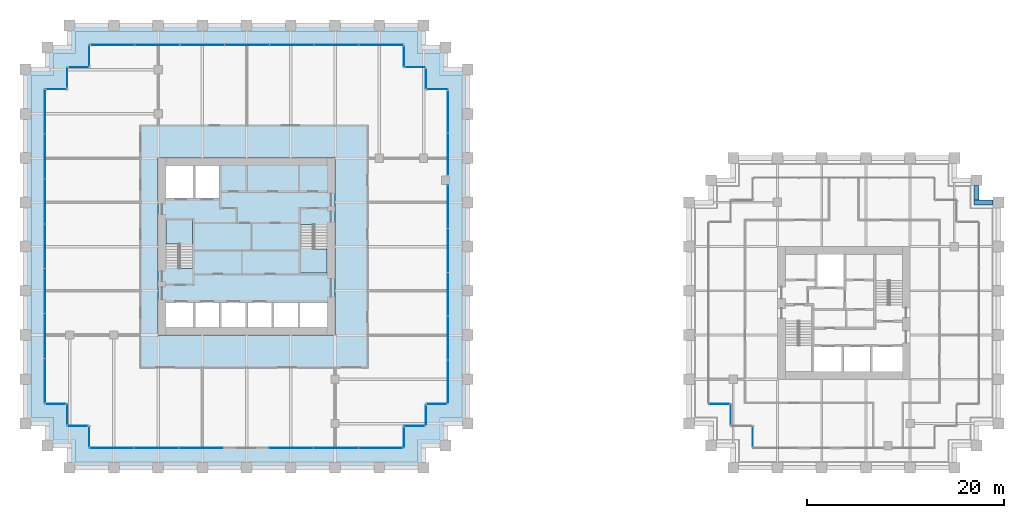
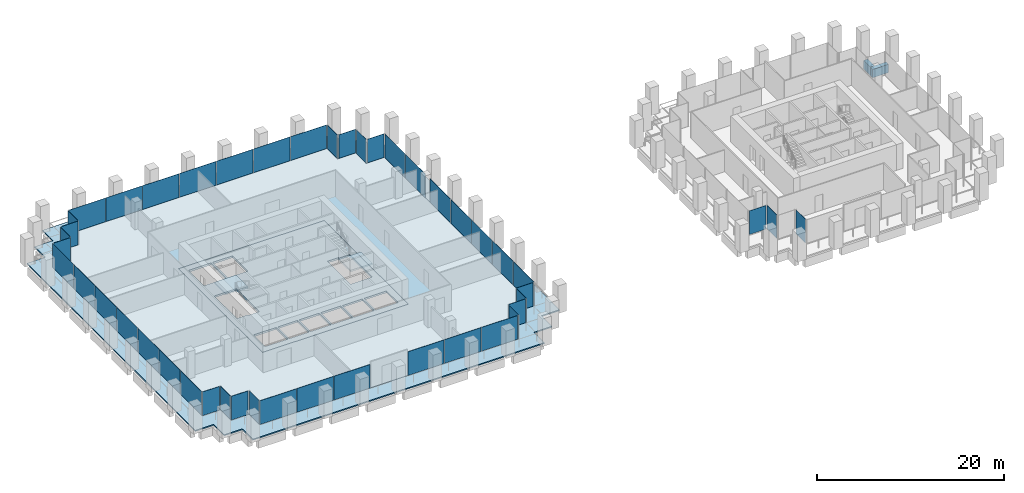
# One storey, part 48 of 56: 46 plates, 5 slabs, 2 beams, 27 elements without a shape of their own.
"""IFC4 building model written with IfcOpenShell, lengths in metres."""

from ifc_helpers import new_model, si_unit, direction, frame, origin, origin_2d, place, context, subcontext, project, spatial, polyline, rectangle, outline, extrude, material, layer, layer_set, material_profile, profile_set, type_object, element, aggregate, save


model = new_model("IFC4")

# Units and contexts
model_context = context("Model", 3, precision=1e-05, world=origin(), true_north=direction((0.0, 1.0)))
body_context = subcontext(model_context, "Body", "Model", "MODEL_VIEW")
ifc_project = project(units=[si_unit("LENGTHUNIT", "METRE"), si_unit("AREAUNIT", "SQUARE_METRE"), si_unit("VOLUMEUNIT", "CUBIC_METRE"), si_unit("PLANEANGLEUNIT", "RADIAN"), si_unit("MASSUNIT", "GRAM", prefix="KILO")], contexts=[model_context])

# Site, building, storey
site_placement = place(None, origin())
site = spatial("IfcSite", under=ifc_project, at=site_placement, CompositionType="ELEMENT")
building_placement = place(site_placement, origin())
building = spatial("IfcBuilding", under=site, at=building_placement, Name="Altepetl Exchange Towers", CompositionType="ELEMENT")
storey_placement = place(building_placement, frame((0.0, 0.0, 79.800048828125)))
storey = spatial("IfcBuildingStorey", under=building, at=storey_placement, Name="L19", CompositionType="ELEMENT", Elevation=79.800048828125)

# Beams
ifc_material_1 = material(Name="Concrete C50/60 precast with cantera amarilla facing", Category="concrete")
ifc_material_profile = material_profile(ifc_material_1, rectangle(XDim=0.5, YDim=1.10009765625, at=origin_2d()), Name="500 x 1100")
ifc_profile_set = profile_set([ifc_material_profile], Name="Concrete C50/60 precast with cantera amarilla facing")
beam_type = type_object("IfcBeamType", Name="Spandrel beam 500x1100 cantera amarilla", PredefinedType="SPANDREL", material=ifc_profile_set)
beam_1_placement = place(storey_placement, frame((125.449951171875, 54.0, -0.699951171875), z_axis=(-1.0, 0.0, 0.0), x_axis=(0.0, -1.0, 0.0)))
element("IfcBeam", 1, at=beam_1_placement, inside=storey, type_object=beam_type, Name="sp:B:L19:014", PredefinedType="SPANDREL", context=body_context, shape_type="SweptSolid", body=[
    extrude(rectangle(XDim=0.5, YDim=1.10009765625, at=origin_2d()), origin(), (0.0, 0.0, 1.0), 1.949951171875),
])
beam_2_placement = place(storey_placement, frame((123.75, 54.25, -0.699951171875), z_axis=(0.0, 1.0, 0.0), x_axis=(-1.0, 0.0, 0.0)))
element("IfcBeam", 2, at=beam_2_placement, inside=storey, type_object=beam_type, Name="sp:B:L19:015", PredefinedType="SPANDREL", context=body_context, shape_type="SweptSolid", body=[
    extrude(rectangle(XDim=0.5, YDim=1.10009765625, at=origin_2d()), origin(), (0.0, 0.0, 1.0), 1.449951171875),
])

# Slabs
ifc_material_2 = material(Name="Concrete C40/50", Category="concrete")
ifc_layer_1 = layer(ifc_material_2, 0.14990234375)
ifc_layer_set_1 = layer_set([ifc_layer_1], Name="Concrete C40/50")
slab_type_1 = type_object("IfcSlabType", Name="Composite floor slab 150", PredefinedType="FLOOR", material=ifc_layer_set_1)
slab_1_placement = place(storey_placement, frame((0.0, 0.0, -0.150146484375)))
element("IfcSlab", 3, at=slab_1_placement, inside=storey, type_object=slab_type_1, Name="slab:A:L19:strip0", PredefinedType="FLOOR", context=body_context, shape_type="SweptSolid", body=[
    extrude(outline(polyline([(31.25, 67.75), (31.25, 65.5), (29.0, 65.5), (29.0, 33.5), (31.25, 33.5), (31.25, 31.25), (33.5, 31.25), (33.5, 29.0), (65.5, 29.0), (65.5, 31.25), (67.75, 31.25), (67.75, 33.5), (70.0, 33.5), (70.0, 65.5), (67.75, 65.5), (67.75, 67.75), (65.5, 67.75), (65.5, 70.0), (33.5, 70.0), (33.5, 67.75), (31.25, 67.75)]), holes=[polyline([(58.5, 58.5), (58.5, 40.5), (40.5, 40.5), (40.5, 58.5), (58.5, 58.5)])]), origin(), (0.0, 0.0, 1.0), 0.150146484375),
])
ifc_layer_2 = layer(ifc_material_2, 0.25)
ifc_layer_set_2 = layer_set([ifc_layer_2], Name="Concrete C40/50")
slab_type_2 = type_object("IfcSlabType", Name="Core floor slab 250", PredefinedType="FLOOR", material=ifc_layer_set_2)
slab_2_placement = place(storey_placement, frame((0.0, 0.0, -0.25)))
element("IfcSlab", 4, at=slab_2_placement, inside=storey, type_object=slab_type_2, Name="slab:A:L19:core0", PredefinedType="FLOOR", context=body_context, shape_type="SweptSolid", body=[
    extrude(outline(polyline([(40.5, 40.5), (58.5, 40.5), (58.5, 58.5), (40.5, 58.5), (40.5, 40.5)]), holes=[polyline([(41.300048828125, 43.800048828125), (44.06689453125, 43.800048828125), (44.06689453125, 41.300048828125), (41.300048828125, 41.300048828125), (41.300048828125, 43.800048828125)]), polyline([(44.26708984375, 43.800048828125), (46.73291015625, 43.800048828125), (46.73291015625, 41.300048828125), (44.26708984375, 41.300048828125), (44.26708984375, 43.800048828125)]), polyline([(46.93310546875, 43.800048828125), (49.39990234375, 43.800048828125), (49.39990234375, 41.300048828125), (46.93310546875, 41.300048828125), (46.93310546875, 43.800048828125)]), polyline([(52.06689453125, 43.800048828125), (52.06689453125, 41.300048828125), (49.60009765625, 41.300048828125), (49.60009765625, 43.800048828125), (52.06689453125, 43.800048828125)]), polyline([(54.73291015625, 43.800048828125), (54.73291015625, 41.300048828125), (52.26708984375, 41.300048828125), (52.26708984375, 43.800048828125), (54.73291015625, 43.800048828125)]), polyline([(54.93310546875, 43.800048828125), (57.699951171875, 43.800048828125), (57.699951171875, 41.300048828125), (54.93310546875, 41.300048828125), (54.93310546875, 43.800048828125)]), polyline([(55.0, 51.7490234375), (56.39990234375, 51.7490234375), (56.39990234375, 51.64990234375), (57.699951171875, 51.64990234375), (57.699951171875, 46.800048828125), (55.0, 46.800048828125), (55.0, 51.7490234375)]), polyline([(44.0, 47.2509765625), (42.60009765625, 47.2509765625), (42.60009765625, 47.35009765625), (41.300048828125, 47.35009765625), (41.300048828125, 52.199951171875), (44.0, 52.199951171875), (44.0, 47.2509765625)]), polyline([(44.06689453125, 57.699951171875), (44.06689453125, 54.39990234375), (41.300048828125, 54.39990234375), (41.300048828125, 57.699951171875), (44.06689453125, 57.699951171875)]), polyline([(46.73291015625, 57.699951171875), (46.73291015625, 54.39990234375), (44.26708984375, 54.39990234375), (44.26708984375, 57.699951171875), (46.73291015625, 57.699951171875)])]), origin(), (0.0, 0.0, 1.0), 0.25),
])

# Curtain wall, plate
ifc_material_3 = material(Name="Aluminium 6063-T6 glazing", Category="aluminium")
curtain_wall_type = type_object("IfcCurtainWallType", Name="Loggia glazing system", PredefinedType="NOTDEFINED", material=ifc_material_3)
curtain_wall_1_placement = place(storey_placement, origin())
curtain_wall_1 = element("IfcCurtainWall", 5, at=curtain_wall_1_placement, inside=storey, type_object=curtain_wall_type, Name="CW1 run", PredefinedType="NOTDEFINED")
ifc_material_4 = material(Name="Glass 6-16-6 low emissivity", Category="glass")
ifc_layer_3 = layer(ifc_material_4, 0.028076171875)
ifc_layer_set_3 = layer_set([ifc_layer_3], Name="Glass 6-16-6 low emissivity")
plate_type = type_object("IfcPlateType", Name="Glass panel 28 double glazed", PredefinedType="CURTAIN_PANEL", material=ifc_layer_set_3)
plate_1_placement = place(storey_placement, frame((30.16259765625, 65.5, 0.0), z_axis=(0.0, 0.0, 1.0), x_axis=(-1.0, 0.0, 0.0)))
plate_1 = element("IfcPlate", 6, at=plate_1_placement, type_object=plate_type, Name="GP1 panel", PredefinedType="CURTAIN_PANEL", context=body_context, shape_type="SweptSolid", body=[
    extrude(rectangle(XDim=2.054931640625, YDim=0.028076171875, at=origin_2d()), origin(), (0.0, 0.0, 1.0), 3.10009765625),
])
aggregate(curtain_wall_1, [plate_1])

# Curtain wall, plates
curtain_wall_2_placement = place(storey_placement, origin())
curtain_wall_2 = element("IfcCurtainWall", 7, at=curtain_wall_2_placement, inside=storey, type_object=curtain_wall_type, Name="CW1 run", PredefinedType="NOTDEFINED")
plate_2_placement = place(storey_placement, frame((29.0, 63.20458984375, 0.0), z_axis=(0.0, 0.0, 1.0), x_axis=(0.0, -1.0, 0.0)))
plate_2 = element("IfcPlate", 8, at=plate_2_placement, type_object=plate_type, Name="GP1 panel", PredefinedType="CURTAIN_PANEL", context=body_context, shape_type="SweptSolid", body=[
    extrude(rectangle(XDim=4.470703125, YDim=0.028076171875, at=origin_2d()), origin(), (0.0, 0.0, 1.0), 3.10009765625),
])
plate_3_placement = place(storey_placement, frame((29.0, 58.658935546875, 0.0), z_axis=(0.0, 0.0, 1.0), x_axis=(0.0, -1.0, 0.0)))
plate_3 = element("IfcPlate", 9, at=plate_3_placement, type_object=plate_type, Name="GP1 panel", PredefinedType="CURTAIN_PANEL", context=body_context, shape_type="SweptSolid", body=[
    extrude(rectangle(XDim=4.500732421875, YDim=0.028076171875, at=origin_2d()), origin(), (0.0, 0.0, 1.0), 3.10009765625),
])
plate_4_placement = place(storey_placement, frame((29.0, 54.09814453125, 0.0), z_axis=(0.0, 0.0, 1.0), x_axis=(0.0, -1.0, 0.0)))
plate_4 = element("IfcPlate", 10, at=plate_4_placement, type_object=plate_type, Name="GP1 panel", PredefinedType="CURTAIN_PANEL", context=body_context, shape_type="SweptSolid", body=[
    extrude(rectangle(XDim=4.500732421875, YDim=0.028076171875, at=origin_2d()), origin(), (0.0, 0.0, 1.0), 3.10009765625),
])
plate_5_placement = place(storey_placement, frame((29.0, 49.53759765625, 0.0), z_axis=(0.0, 0.0, 1.0), x_axis=(0.0, -1.0, 0.0)))
plate_5 = element("IfcPlate", 11, at=plate_5_placement, type_object=plate_type, Name="GP1 panel", PredefinedType="CURTAIN_PANEL", context=body_context, shape_type="SweptSolid", body=[
    extrude(rectangle(XDim=4.500732421875, YDim=0.028076171875, at=origin_2d()), origin(), (0.0, 0.0, 1.0), 3.10009765625),
])
plate_6_placement = place(storey_placement, frame((29.0, 44.976806640625, 0.0), z_axis=(0.0, 0.0, 1.0), x_axis=(0.0, -1.0, 0.0)))
plate_6 = element("IfcPlate", 12, at=plate_6_placement, type_object=plate_type, Name="GP1 panel", PredefinedType="CURTAIN_PANEL", context=body_context, shape_type="SweptSolid", body=[
    extrude(rectangle(XDim=4.500732421875, YDim=0.028076171875, at=origin_2d()), origin(), (0.0, 0.0, 1.0), 3.10009765625),
])
plate_7_placement = place(storey_placement, frame((29.0, 40.416015625, 0.0), z_axis=(0.0, 0.0, 1.0), x_axis=(0.0, -1.0, 0.0)))
plate_7 = element("IfcPlate", 13, at=plate_7_placement, type_object=plate_type, Name="GP1 panel", PredefinedType="CURTAIN_PANEL", context=body_context, shape_type="SweptSolid", body=[
    extrude(rectangle(XDim=4.500732421875, YDim=0.028076171875, at=origin_2d()), origin(), (0.0, 0.0, 1.0), 3.10009765625),
])
plate_8_placement = place(storey_placement, frame((29.0, 35.870361328125, 0.0), z_axis=(0.0, 0.0, 1.0), x_axis=(0.0, -1.0, 0.0)))
plate_8 = element("IfcPlate", 14, at=plate_8_placement, type_object=plate_type, Name="GP1 panel", PredefinedType="CURTAIN_PANEL", context=body_context, shape_type="SweptSolid", body=[
    extrude(rectangle(XDim=4.470703125, YDim=0.028076171875, at=origin_2d()), origin(), (0.0, 0.0, 1.0), 3.10009765625),
])
aggregate(curtain_wall_2, [plate_2, plate_3, plate_4, plate_5, plate_6, plate_7, plate_8])

# Curtain wall, plate
curtain_wall_3_placement = place(storey_placement, origin())
curtain_wall_3 = element("IfcCurtainWall", 15, at=curtain_wall_3_placement, inside=storey, type_object=curtain_wall_type, Name="CW1 run", PredefinedType="NOTDEFINED")
plate_9_placement = place(storey_placement, frame((30.08740234375, 33.5, 0.0)))
plate_9 = element("IfcPlate", 16, at=plate_9_placement, type_object=plate_type, Name="GP1 panel", PredefinedType="CURTAIN_PANEL", context=body_context, shape_type="SweptSolid", body=[
    extrude(rectangle(XDim=2.054931640625, YDim=0.028076171875, at=origin_2d()), origin(), (0.0, 0.0, 1.0), 3.10009765625),
])
aggregate(curtain_wall_3, [plate_9])

curtain_wall_4_placement = place(storey_placement, origin())
curtain_wall_4 = element("IfcCurtainWall", 17, at=curtain_wall_4_placement, inside=storey, type_object=curtain_wall_type, Name="CW1 run", PredefinedType="NOTDEFINED")
plate_10_placement = place(storey_placement, frame((31.25, 32.41259765625, 0.0), z_axis=(0.0, 0.0, 1.0), x_axis=(0.0, -1.0, 0.0)))
plate_10 = element("IfcPlate", 18, at=plate_10_placement, type_object=plate_type, Name="GP1 panel", PredefinedType="CURTAIN_PANEL", context=body_context, shape_type="SweptSolid", body=[
    extrude(rectangle(XDim=2.054931640625, YDim=0.028076171875, at=origin_2d()), origin(), (0.0, 0.0, 1.0), 3.10009765625),
])
aggregate(curtain_wall_4, [plate_10])

curtain_wall_5_placement = place(storey_placement, origin())
curtain_wall_5 = element("IfcCurtainWall", 19, at=curtain_wall_5_placement, inside=storey, type_object=curtain_wall_type, Name="CW1 run", PredefinedType="NOTDEFINED")
plate_11_placement = place(storey_placement, frame((32.33740234375, 31.25, 0.0)))
plate_11 = element("IfcPlate", 20, at=plate_11_placement, type_object=plate_type, Name="GP1 panel", PredefinedType="CURTAIN_PANEL", context=body_context, shape_type="SweptSolid", body=[
    extrude(rectangle(XDim=2.054931640625, YDim=0.028076171875, at=origin_2d()), origin(), (0.0, 0.0, 1.0), 3.10009765625),
])
aggregate(curtain_wall_5, [plate_11])

curtain_wall_6_placement = place(storey_placement, origin())
curtain_wall_6 = element("IfcCurtainWall", 21, at=curtain_wall_6_placement, inside=storey, type_object=curtain_wall_type, Name="CW1 run", PredefinedType="NOTDEFINED")
plate_12_placement = place(storey_placement, frame((33.5, 30.16259765625, 0.0), z_axis=(0.0, 0.0, 1.0), x_axis=(0.0, -1.0, 0.0)))
plate_12 = element("IfcPlate", 22, at=plate_12_placement, type_object=plate_type, Name="GP1 panel", PredefinedType="CURTAIN_PANEL", context=body_context, shape_type="SweptSolid", body=[
    extrude(rectangle(XDim=2.054931640625, YDim=0.028076171875, at=origin_2d()), origin(), (0.0, 0.0, 1.0), 3.10009765625),
])
aggregate(curtain_wall_6, [plate_12])

# Curtain wall, plates
curtain_wall_7_placement = place(storey_placement, origin())
curtain_wall_7 = element("IfcCurtainWall", 23, at=curtain_wall_7_placement, inside=storey, type_object=curtain_wall_type, Name="CW1 run", PredefinedType="NOTDEFINED")
plate_13_placement = place(storey_placement, frame((35.79541015625, 29.0, 0.0)))
plate_13 = element("IfcPlate", 24, at=plate_13_placement, type_object=plate_type, Name="GP1 panel", PredefinedType="CURTAIN_PANEL", context=body_context, shape_type="SweptSolid", body=[
    extrude(rectangle(XDim=4.470703125, YDim=0.028076171875, at=origin_2d()), origin(), (0.0, 0.0, 1.0), 3.10009765625),
])
plate_14_placement = place(storey_placement, frame((40.341064453125, 29.0, 0.0)))
plate_14 = element("IfcPlate", 25, at=plate_14_placement, type_object=plate_type, Name="GP1 panel", PredefinedType="CURTAIN_PANEL", context=body_context, shape_type="SweptSolid", body=[
    extrude(rectangle(XDim=4.500732421875, YDim=0.028076171875, at=origin_2d()), origin(), (0.0, 0.0, 1.0), 3.10009765625),
])
plate_15_placement = place(storey_placement, frame((44.88671875, 29.0, 0.0)))
plate_15 = element("IfcPlate", 26, at=plate_15_placement, type_object=plate_type, Name="GP1 panel", PredefinedType="CURTAIN_PANEL", context=body_context, shape_type="SweptSolid", body=[
    extrude(rectangle(XDim=4.470703125, YDim=0.028076171875, at=origin_2d()), origin(), (0.0, 0.0, 1.0), 3.10009765625),
])
aggregate(curtain_wall_7, [plate_13, plate_14, plate_15])

curtain_wall_8_placement = place(storey_placement, origin())
curtain_wall_8 = element("IfcCurtainWall", 27, at=curtain_wall_8_placement, inside=storey, type_object=curtain_wall_type, Name="CW1 run", PredefinedType="NOTDEFINED")
plate_16_placement = place(storey_placement, frame((54.038330078125, 29.0, 0.0)))
plate_16 = element("IfcPlate", 28, at=plate_16_placement, type_object=plate_type, Name="GP1 panel", PredefinedType="CURTAIN_PANEL", context=body_context, shape_type="SweptSolid", body=[
    extrude(rectangle(XDim=4.470703125, YDim=0.028076171875, at=origin_2d()), origin(), (0.0, 0.0, 1.0), 3.10009765625),
])
plate_17_placement = place(storey_placement, frame((58.583984375, 29.0, 0.0)))
plate_17 = element("IfcPlate", 29, at=plate_17_placement, type_object=plate_type, Name="GP1 panel", PredefinedType="CURTAIN_PANEL", context=body_context, shape_type="SweptSolid", body=[
    extrude(rectangle(XDim=4.500732421875, YDim=0.028076171875, at=origin_2d()), origin(), (0.0, 0.0, 1.0), 3.10009765625),
])
plate_18_placement = place(storey_placement, frame((63.129638671875, 29.0, 0.0)))
plate_18 = element("IfcPlate", 30, at=plate_18_placement, type_object=plate_type, Name="GP1 panel", PredefinedType="CURTAIN_PANEL", context=body_context, shape_type="SweptSolid", body=[
    extrude(rectangle(XDim=4.470703125, YDim=0.028076171875, at=origin_2d()), origin(), (0.0, 0.0, 1.0), 3.10009765625),
])
aggregate(curtain_wall_8, [plate_16, plate_17, plate_18])

# Curtain wall, plate
curtain_wall_9_placement = place(storey_placement, origin())
curtain_wall_9 = element("IfcCurtainWall", 31, at=curtain_wall_9_placement, inside=storey, type_object=curtain_wall_type, Name="CW1 run", PredefinedType="NOTDEFINED")
plate_19_placement = place(storey_placement, frame((65.5, 30.08740234375, 0.0), z_axis=(0.0, 0.0, 1.0), x_axis=(0.0, 1.0, 0.0)))
plate_19 = element("IfcPlate", 32, at=plate_19_placement, type_object=plate_type, Name="GP1 panel", PredefinedType="CURTAIN_PANEL", context=body_context, shape_type="SweptSolid", body=[
    extrude(rectangle(XDim=2.054931640625, YDim=0.028076171875, at=origin_2d()), origin(), (0.0, 0.0, 1.0), 3.10009765625),
])
aggregate(curtain_wall_9, [plate_19])

curtain_wall_10_placement = place(storey_placement, origin())
curtain_wall_10 = element("IfcCurtainWall", 33, at=curtain_wall_10_placement, inside=storey, type_object=curtain_wall_type, Name="CW1 run", PredefinedType="NOTDEFINED")
plate_20_placement = place(storey_placement, frame((66.58740234375, 31.25, 0.0)))
plate_20 = element("IfcPlate", 34, at=plate_20_placement, type_object=plate_type, Name="GP1 panel", PredefinedType="CURTAIN_PANEL", context=body_context, shape_type="SweptSolid", body=[
    extrude(rectangle(XDim=2.054931640625, YDim=0.028076171875, at=origin_2d()), origin(), (0.0, 0.0, 1.0), 3.10009765625),
])
aggregate(curtain_wall_10, [plate_20])

curtain_wall_11_placement = place(storey_placement, origin())
curtain_wall_11 = element("IfcCurtainWall", 35, at=curtain_wall_11_placement, inside=storey, type_object=curtain_wall_type, Name="CW1 run", PredefinedType="NOTDEFINED")
plate_21_placement = place(storey_placement, frame((67.75, 32.33740234375, 0.0), z_axis=(0.0, 0.0, 1.0), x_axis=(0.0, 1.0, 0.0)))
plate_21 = element("IfcPlate", 36, at=plate_21_placement, type_object=plate_type, Name="GP1 panel", PredefinedType="CURTAIN_PANEL", context=body_context, shape_type="SweptSolid", body=[
    extrude(rectangle(XDim=2.054931640625, YDim=0.028076171875, at=origin_2d()), origin(), (0.0, 0.0, 1.0), 3.10009765625),
])
aggregate(curtain_wall_11, [plate_21])

curtain_wall_12_placement = place(storey_placement, origin())
curtain_wall_12 = element("IfcCurtainWall", 37, at=curtain_wall_12_placement, inside=storey, type_object=curtain_wall_type, Name="CW1 run", PredefinedType="NOTDEFINED")
plate_22_placement = place(storey_placement, frame((68.83740234375, 33.5, 0.0)))
plate_22 = element("IfcPlate", 38, at=plate_22_placement, type_object=plate_type, Name="GP1 panel", PredefinedType="CURTAIN_PANEL", context=body_context, shape_type="SweptSolid", body=[
    extrude(rectangle(XDim=2.054931640625, YDim=0.028076171875, at=origin_2d()), origin(), (0.0, 0.0, 1.0), 3.10009765625),
])
aggregate(curtain_wall_12, [plate_22])

# Curtain wall, plates
curtain_wall_13_placement = place(storey_placement, origin())
curtain_wall_13 = element("IfcCurtainWall", 39, at=curtain_wall_13_placement, inside=storey, type_object=curtain_wall_type, Name="CW1 run", PredefinedType="NOTDEFINED")
plate_23_placement = place(storey_placement, frame((70.0, 35.74560546875, 0.0), z_axis=(0.0, 0.0, 1.0), x_axis=(0.0, 1.0, 0.0)))
plate_23 = element("IfcPlate", 40, at=plate_23_placement, type_object=plate_type, Name="GP1 panel", PredefinedType="CURTAIN_PANEL", context=body_context, shape_type="SweptSolid", body=[
    extrude(rectangle(XDim=4.37109375, YDim=0.028076171875, at=origin_2d()), origin(), (0.0, 0.0, 1.0), 3.10009765625),
])
plate_24_placement = place(storey_placement, frame((70.0, 40.19140625, 0.0), z_axis=(0.0, 0.0, 1.0), x_axis=(0.0, 1.0, 0.0)))
plate_24 = element("IfcPlate", 41, at=plate_24_placement, type_object=plate_type, Name="GP1 panel", PredefinedType="CURTAIN_PANEL", context=body_context, shape_type="SweptSolid", body=[
    extrude(rectangle(XDim=4.40087890625, YDim=0.028076171875, at=origin_2d()), origin(), (0.0, 0.0, 1.0), 3.10009765625),
])
plate_25_placement = place(storey_placement, frame((70.0, 44.652587890625, 0.0), z_axis=(0.0, 0.0, 1.0), x_axis=(0.0, 1.0, 0.0)))
plate_25 = element("IfcPlate", 42, at=plate_25_placement, type_object=plate_type, Name="GP1 panel", PredefinedType="CURTAIN_PANEL", context=body_context, shape_type="SweptSolid", body=[
    extrude(rectangle(XDim=4.40087890625, YDim=0.028076171875, at=origin_2d()), origin(), (0.0, 0.0, 1.0), 3.10009765625),
])
plate_26_placement = place(storey_placement, frame((70.0, 49.113525390625, 0.0), z_axis=(0.0, 0.0, 1.0), x_axis=(0.0, 1.0, 0.0)))
plate_26 = element("IfcPlate", 43, at=plate_26_placement, type_object=plate_type, Name="GP1 panel", PredefinedType="CURTAIN_PANEL", context=body_context, shape_type="SweptSolid", body=[
    extrude(rectangle(XDim=4.40087890625, YDim=0.028076171875, at=origin_2d()), origin(), (0.0, 0.0, 1.0), 3.10009765625),
])
plate_27_placement = place(storey_placement, frame((70.0, 53.5595703125, 0.0), z_axis=(0.0, 0.0, 1.0), x_axis=(0.0, 1.0, 0.0)))
plate_27 = element("IfcPlate", 44, at=plate_27_placement, type_object=plate_type, Name="GP1 panel", PredefinedType="CURTAIN_PANEL", context=body_context, shape_type="SweptSolid", body=[
    extrude(rectangle(XDim=4.37109375, YDim=0.028076171875, at=origin_2d()), origin(), (0.0, 0.0, 1.0), 3.10009765625),
])
aggregate(curtain_wall_13, [plate_23, plate_24, plate_25, plate_26, plate_27])

curtain_wall_14_placement = place(storey_placement, origin())
curtain_wall_14 = element("IfcCurtainWall", 45, at=curtain_wall_14_placement, inside=storey, type_object=curtain_wall_type, Name="CW1 run", PredefinedType="NOTDEFINED")
plate_28_placement = place(storey_placement, frame((70.0, 58.892578125, 0.0), z_axis=(0.0, 0.0, 1.0), x_axis=(0.0, 1.0, 0.0)))
plate_28 = element("IfcPlate", 46, at=plate_28_placement, type_object=plate_type, Name="GP1 panel", PredefinedType="CURTAIN_PANEL", context=body_context, shape_type="SweptSolid", body=[
    extrude(rectangle(XDim=4.27490234375, YDim=0.028076171875, at=origin_2d()), origin(), (0.0, 0.0, 1.0), 3.10009765625),
])
plate_29_placement = place(storey_placement, frame((70.0, 63.2275390625, 0.0), z_axis=(0.0, 0.0, 1.0), x_axis=(0.0, 1.0, 0.0)))
plate_29 = element("IfcPlate", 47, at=plate_29_placement, type_object=plate_type, Name="GP1 panel", PredefinedType="CURTAIN_PANEL", context=body_context, shape_type="SweptSolid", body=[
    extrude(rectangle(XDim=4.27490234375, YDim=0.028076171875, at=origin_2d()), origin(), (0.0, 0.0, 1.0), 3.10009765625),
])
aggregate(curtain_wall_14, [plate_28, plate_29])

# Curtain wall, plate
curtain_wall_15_placement = place(storey_placement, origin())
curtain_wall_15 = element("IfcCurtainWall", 48, at=curtain_wall_15_placement, inside=storey, type_object=curtain_wall_type, Name="CW1 run", PredefinedType="NOTDEFINED")
plate_30_placement = place(storey_placement, frame((68.91259765625, 65.5, 0.0), z_axis=(0.0, 0.0, 1.0), x_axis=(-1.0, 0.0, 0.0)))
plate_30 = element("IfcPlate", 49, at=plate_30_placement, type_object=plate_type, Name="GP1 panel", PredefinedType="CURTAIN_PANEL", context=body_context, shape_type="SweptSolid", body=[
    extrude(rectangle(XDim=2.054931640625, YDim=0.028076171875, at=origin_2d()), origin(), (0.0, 0.0, 1.0), 3.10009765625),
])
aggregate(curtain_wall_15, [plate_30])

curtain_wall_16_placement = place(storey_placement, origin())
curtain_wall_16 = element("IfcCurtainWall", 50, at=curtain_wall_16_placement, inside=storey, type_object=curtain_wall_type, Name="CW1 run", PredefinedType="NOTDEFINED")
plate_31_placement = place(storey_placement, frame((67.75, 66.58740234375, 0.0), z_axis=(0.0, 0.0, 1.0), x_axis=(0.0, 1.0, 0.0)))
plate_31 = element("IfcPlate", 51, at=plate_31_placement, type_object=plate_type, Name="GP1 panel", PredefinedType="CURTAIN_PANEL", context=body_context, shape_type="SweptSolid", body=[
    extrude(rectangle(XDim=2.054931640625, YDim=0.028076171875, at=origin_2d()), origin(), (0.0, 0.0, 1.0), 3.10009765625),
])
aggregate(curtain_wall_16, [plate_31])

curtain_wall_17_placement = place(storey_placement, origin())
curtain_wall_17 = element("IfcCurtainWall", 52, at=curtain_wall_17_placement, inside=storey, type_object=curtain_wall_type, Name="CW1 run", PredefinedType="NOTDEFINED")
plate_32_placement = place(storey_placement, frame((66.66259765625, 67.75, 0.0), z_axis=(0.0, 0.0, 1.0), x_axis=(-1.0, 0.0, 0.0)))
plate_32 = element("IfcPlate", 53, at=plate_32_placement, type_object=plate_type, Name="GP1 panel", PredefinedType="CURTAIN_PANEL", context=body_context, shape_type="SweptSolid", body=[
    extrude(rectangle(XDim=2.054931640625, YDim=0.028076171875, at=origin_2d()), origin(), (0.0, 0.0, 1.0), 3.10009765625),
])
aggregate(curtain_wall_17, [plate_32])

curtain_wall_18_placement = place(storey_placement, origin())
curtain_wall_18 = element("IfcCurtainWall", 54, at=curtain_wall_18_placement, inside=storey, type_object=curtain_wall_type, Name="CW1 run", PredefinedType="NOTDEFINED")
plate_33_placement = place(storey_placement, frame((65.5, 68.83740234375, 0.0), z_axis=(0.0, 0.0, 1.0), x_axis=(0.0, 1.0, 0.0)))
plate_33 = element("IfcPlate", 55, at=plate_33_placement, type_object=plate_type, Name="GP1 panel", PredefinedType="CURTAIN_PANEL", context=body_context, shape_type="SweptSolid", body=[
    extrude(rectangle(XDim=2.054931640625, YDim=0.028076171875, at=origin_2d()), origin(), (0.0, 0.0, 1.0), 3.10009765625),
])
aggregate(curtain_wall_18, [plate_33])

# Curtain wall, plates
curtain_wall_19_placement = place(storey_placement, origin())
curtain_wall_19 = element("IfcCurtainWall", 56, at=curtain_wall_19_placement, inside=storey, type_object=curtain_wall_type, Name="CW1 run", PredefinedType="NOTDEFINED")
plate_34_placement = place(storey_placement, frame((63.20458984375, 70.0, 0.0), z_axis=(0.0, 0.0, 1.0), x_axis=(-1.0, 0.0, 0.0)))
plate_34 = element("IfcPlate", 57, at=plate_34_placement, type_object=plate_type, Name="GP1 panel", PredefinedType="CURTAIN_PANEL", context=body_context, shape_type="SweptSolid", body=[
    extrude(rectangle(XDim=4.470703125, YDim=0.028076171875, at=origin_2d()), origin(), (0.0, 0.0, 1.0), 3.10009765625),
])
plate_35_placement = place(storey_placement, frame((58.658935546875, 70.0, 0.0), z_axis=(0.0, 0.0, 1.0), x_axis=(-1.0, 0.0, 0.0)))
plate_35 = element("IfcPlate", 58, at=plate_35_placement, type_object=plate_type, Name="GP1 panel", PredefinedType="CURTAIN_PANEL", context=body_context, shape_type="SweptSolid", body=[
    extrude(rectangle(XDim=4.500732421875, YDim=0.028076171875, at=origin_2d()), origin(), (0.0, 0.0, 1.0), 3.10009765625),
])
plate_36_placement = place(storey_placement, frame((54.09814453125, 70.0, 0.0), z_axis=(0.0, 0.0, 1.0), x_axis=(-1.0, 0.0, 0.0)))
plate_36 = element("IfcPlate", 59, at=plate_36_placement, type_object=plate_type, Name="GP1 panel", PredefinedType="CURTAIN_PANEL", context=body_context, shape_type="SweptSolid", body=[
    extrude(rectangle(XDim=4.500732421875, YDim=0.028076171875, at=origin_2d()), origin(), (0.0, 0.0, 1.0), 3.10009765625),
])
plate_37_placement = place(storey_placement, frame((49.53759765625, 70.0, 0.0), z_axis=(0.0, 0.0, 1.0), x_axis=(-1.0, 0.0, 0.0)))
plate_37 = element("IfcPlate", 60, at=plate_37_placement, type_object=plate_type, Name="GP1 panel", PredefinedType="CURTAIN_PANEL", context=body_context, shape_type="SweptSolid", body=[
    extrude(rectangle(XDim=4.500732421875, YDim=0.028076171875, at=origin_2d()), origin(), (0.0, 0.0, 1.0), 3.10009765625),
])
plate_38_placement = place(storey_placement, frame((44.976806640625, 70.0, 0.0), z_axis=(0.0, 0.0, 1.0), x_axis=(-1.0, 0.0, 0.0)))
plate_38 = element("IfcPlate", 61, at=plate_38_placement, type_object=plate_type, Name="GP1 panel", PredefinedType="CURTAIN_PANEL", context=body_context, shape_type="SweptSolid", body=[
    extrude(rectangle(XDim=4.500732421875, YDim=0.028076171875, at=origin_2d()), origin(), (0.0, 0.0, 1.0), 3.10009765625),
])
plate_39_placement = place(storey_placement, frame((40.416015625, 70.0, 0.0), z_axis=(0.0, 0.0, 1.0), x_axis=(-1.0, 0.0, 0.0)))
plate_39 = element("IfcPlate", 62, at=plate_39_placement, type_object=plate_type, Name="GP1 panel", PredefinedType="CURTAIN_PANEL", context=body_context, shape_type="SweptSolid", body=[
    extrude(rectangle(XDim=4.500732421875, YDim=0.028076171875, at=origin_2d()), origin(), (0.0, 0.0, 1.0), 3.10009765625),
])
plate_40_placement = place(storey_placement, frame((35.870361328125, 70.0, 0.0), z_axis=(0.0, 0.0, 1.0), x_axis=(-1.0, 0.0, 0.0)))
plate_40 = element("IfcPlate", 63, at=plate_40_placement, type_object=plate_type, Name="GP1 panel", PredefinedType="CURTAIN_PANEL", context=body_context, shape_type="SweptSolid", body=[
    extrude(rectangle(XDim=4.470703125, YDim=0.028076171875, at=origin_2d()), origin(), (0.0, 0.0, 1.0), 3.10009765625),
])
aggregate(curtain_wall_19, [plate_34, plate_35, plate_36, plate_37, plate_38, plate_39, plate_40])

# Curtain wall, plate
curtain_wall_20_placement = place(storey_placement, origin())
curtain_wall_20 = element("IfcCurtainWall", 64, at=curtain_wall_20_placement, inside=storey, type_object=curtain_wall_type, Name="CW1 run", PredefinedType="NOTDEFINED")
plate_41_placement = place(storey_placement, frame((33.5, 68.91259765625, 0.0), z_axis=(0.0, 0.0, 1.0), x_axis=(0.0, -1.0, 0.0)))
plate_41 = element("IfcPlate", 65, at=plate_41_placement, type_object=plate_type, Name="GP1 panel", PredefinedType="CURTAIN_PANEL", context=body_context, shape_type="SweptSolid", body=[
    extrude(rectangle(XDim=2.054931640625, YDim=0.028076171875, at=origin_2d()), origin(), (0.0, 0.0, 1.0), 3.10009765625),
])
aggregate(curtain_wall_20, [plate_41])

curtain_wall_21_placement = place(storey_placement, origin())
curtain_wall_21 = element("IfcCurtainWall", 66, at=curtain_wall_21_placement, inside=storey, type_object=curtain_wall_type, Name="CW1 run", PredefinedType="NOTDEFINED")
plate_42_placement = place(storey_placement, frame((32.41259765625, 67.75, 0.0), z_axis=(0.0, 0.0, 1.0), x_axis=(-1.0, 0.0, 0.0)))
plate_42 = element("IfcPlate", 67, at=plate_42_placement, type_object=plate_type, Name="GP1 panel", PredefinedType="CURTAIN_PANEL", context=body_context, shape_type="SweptSolid", body=[
    extrude(rectangle(XDim=2.054931640625, YDim=0.028076171875, at=origin_2d()), origin(), (0.0, 0.0, 1.0), 3.10009765625),
])
aggregate(curtain_wall_21, [plate_42])

curtain_wall_22_placement = place(storey_placement, origin())
curtain_wall_22 = element("IfcCurtainWall", 68, at=curtain_wall_22_placement, inside=storey, type_object=curtain_wall_type, Name="CW1 run", PredefinedType="NOTDEFINED")
plate_43_placement = place(storey_placement, frame((31.25, 66.66259765625, 0.0), z_axis=(0.0, 0.0, 1.0), x_axis=(0.0, -1.0, 0.0)))
plate_43 = element("IfcPlate", 69, at=plate_43_placement, type_object=plate_type, Name="GP1 panel", PredefinedType="CURTAIN_PANEL", context=body_context, shape_type="SweptSolid", body=[
    extrude(rectangle(XDim=2.054931640625, YDim=0.028076171875, at=origin_2d()), origin(), (0.0, 0.0, 1.0), 3.10009765625),
])
aggregate(curtain_wall_22, [plate_43])

curtain_wall_23_placement = place(storey_placement, origin())
curtain_wall_23 = element("IfcCurtainWall", 70, at=curtain_wall_23_placement, inside=storey, type_object=curtain_wall_type, Name="CW1 run", PredefinedType="NOTDEFINED")
plate_44_placement = place(storey_placement, frame((97.58740234375, 33.5, 0.0)))
plate_44 = element("IfcPlate", 71, at=plate_44_placement, type_object=plate_type, Name="GP1 panel", PredefinedType="CURTAIN_PANEL", context=body_context, shape_type="SweptSolid", body=[
    extrude(rectangle(XDim=2.054931640625, YDim=0.028076171875, at=origin_2d()), origin(), (0.0, 0.0, 1.0), 3.10009765625),
])
aggregate(curtain_wall_23, [plate_44])

curtain_wall_24_placement = place(storey_placement, origin())
curtain_wall_24 = element("IfcCurtainWall", 72, at=curtain_wall_24_placement, inside=storey, type_object=curtain_wall_type, Name="CW1 run", PredefinedType="NOTDEFINED")
plate_45_placement = place(storey_placement, frame((98.75, 32.41259765625, 0.0), z_axis=(0.0, 0.0, 1.0), x_axis=(0.0, -1.0, 0.0)))
plate_45 = element("IfcPlate", 73, at=plate_45_placement, type_object=plate_type, Name="GP1 panel", PredefinedType="CURTAIN_PANEL", context=body_context, shape_type="SweptSolid", body=[
    extrude(rectangle(XDim=2.054931640625, YDim=0.028076171875, at=origin_2d()), origin(), (0.0, 0.0, 1.0), 3.10009765625),
])
aggregate(curtain_wall_24, [plate_45])

curtain_wall_25_placement = place(storey_placement, origin())
curtain_wall_25 = element("IfcCurtainWall", 74, at=curtain_wall_25_placement, inside=storey, type_object=curtain_wall_type, Name="CW1 run", PredefinedType="NOTDEFINED")
plate_46_placement = place(storey_placement, frame((101.0, 30.16259765625, 0.0), z_axis=(0.0, 0.0, 1.0), x_axis=(0.0, -1.0, 0.0)))
plate_46 = element("IfcPlate", 75, at=plate_46_placement, type_object=plate_type, Name="GP1 panel", PredefinedType="CURTAIN_PANEL", context=body_context, shape_type="SweptSolid", body=[
    extrude(rectangle(XDim=2.054931640625, YDim=0.028076171875, at=origin_2d()), origin(), (0.0, 0.0, 1.0), 3.10009765625),
])
aggregate(curtain_wall_25, [plate_46])

# Slab
ifc_layer_4 = layer(ifc_material_2, 0.14990234375)
ifc_layer_set_4 = layer_set([ifc_layer_4], Name="Concrete C40/50")
slab_type_3 = type_object("IfcSlabType", Name="Loggia slab 150", PredefinedType="FLOOR", material=ifc_layer_set_4)
slab_3_placement = place(storey_placement, frame((0.0, 0.0, -0.150146484375)))
element("IfcSlab", 76, at=slab_3_placement, inside=storey, type_object=slab_type_3, Name="slab:A:L19:loggia0", PredefinedType="FLOOR", context=body_context, shape_type="SweptSolid", body=[
    extrude(outline(polyline([(29.25, 67.5), (27.0, 67.5), (27.0, 40.5), (27.0, 31.5), (29.25, 31.5), (29.25, 29.25), (31.5, 29.25), (31.5, 27.0), (58.5, 27.0), (67.5, 27.0), (67.5, 29.25), (69.75, 29.25), (69.75, 31.5), (72.0, 31.5), (72.0, 58.5), (72.0, 67.5), (69.75, 67.5), (69.75, 69.75), (67.5, 69.75), (67.5, 72.0), (40.5, 72.0), (31.5, 72.0), (31.5, 69.75), (29.25, 69.75), (29.25, 67.5)]), holes=[polyline([(29.0, 65.5), (31.25, 65.5), (31.25, 67.75), (33.5, 67.75), (33.5, 70.0), (65.5, 70.0), (65.5, 67.75), (67.75, 67.75), (67.75, 65.5), (70.0, 65.5), (70.0, 33.5), (67.75, 33.5), (67.75, 31.25), (65.5, 31.25), (65.5, 29.0), (33.5, 29.0), (33.5, 31.25), (31.25, 31.25), (31.25, 33.5), (29.0, 33.5), (29.0, 65.5)])]), origin(), (0.0, 0.0, 1.0), 0.150146484375),
])

# Stair, slab
stair_type = type_object("IfcStairType", Name="Exit stair 1300 flights dogleg", PredefinedType="HALF_TURN_STAIR", material=ifc_material_2)
stair_1_placement = place(storey_placement, origin())
stair_1 = element("IfcStair", 77, at=stair_1_placement, inside=storey, type_object=stair_type, Name="Exit stair 1", PredefinedType="HALF_TURN_STAIR")
ifc_layer_5 = layer(ifc_material_2, 0.199951171875)
ifc_layer_set_5 = layer_set([ifc_layer_5], Name="Concrete C40/50")
slab_type_4 = type_object("IfcSlabType", Name="Stair landing 200 reinforced concrete", PredefinedType="LANDING", material=ifc_layer_set_5)
slab_4_placement = place(storey_placement, frame((0.0, 0.0, 1.599853515625)))
slab_4 = element("IfcSlab", 78, at=slab_4_placement, type_object=slab_type_4, Name="ST-A1c landing 1", PredefinedType="LANDING", context=body_context, shape_type="SweptSolid", body=[
    extrude(outline(polyline([(44.0, 49.669921875), (42.699951171875, 49.669921875), (42.699951171875, 49.77001953125), (42.60009765625, 49.77001953125), (42.60009765625, 49.769287109375), (41.300048828125, 49.769287109375), (41.300048828125, 49.77001953125), (41.300048828125, 52.199951171875), (44.0, 52.199951171875), (44.0, 49.77001953125), (44.0, 49.669921875)])), origin(), (0.0, 0.0, 1.0), 0.2001953125),
])
aggregate(stair_1, [slab_4])

stair_2_placement = place(storey_placement, origin())
stair_2 = element("IfcStair", 79, at=stair_2_placement, inside=storey, type_object=stair_type, Name="Exit stair 2", PredefinedType="HALF_TURN_STAIR")
slab_5_placement = place(storey_placement, frame((0.0, 0.0, 1.599853515625)))
slab_5 = element("IfcSlab", 80, at=slab_5_placement, type_object=slab_type_4, Name="ST-A2c landing 1", PredefinedType="LANDING", context=body_context, shape_type="SweptSolid", body=[
    extrude(outline(polyline([(57.699951171875, 46.800048828125), (55.0, 46.800048828125), (55.0, 49.22998046875), (55.0, 49.330078125), (56.300048828125, 49.330078125), (56.300048828125, 49.22998046875), (56.39990234375, 49.22998046875), (56.39990234375, 49.230712890625), (57.699951171875, 49.230712890625), (57.699951171875, 49.22998046875), (57.699951171875, 46.800048828125)])), origin(), (0.0, 0.0, 1.0), 0.2001953125),
])
aggregate(stair_2, [slab_5])

save(model, "model.ifc")
